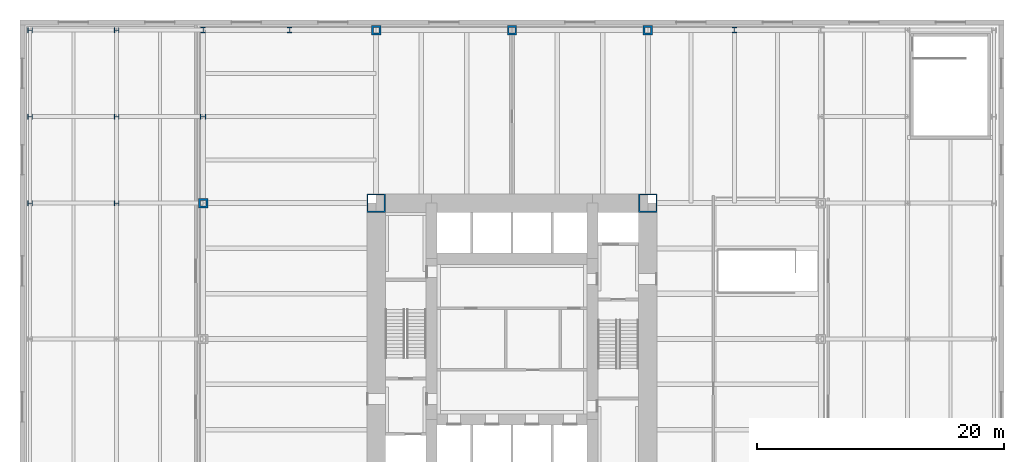
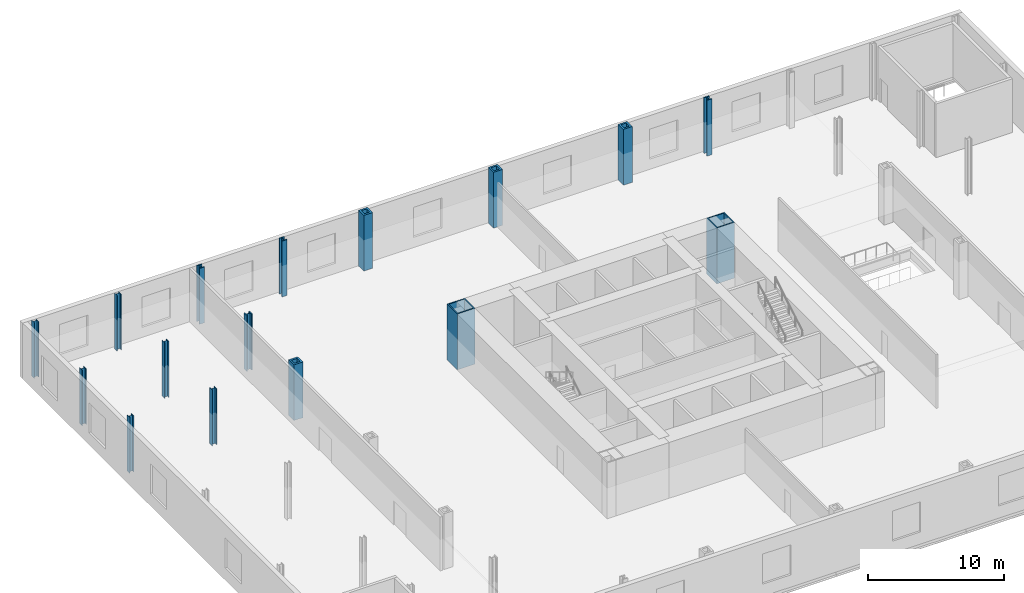
# One storey, part 3 of 12: 16 columns.
"""IFC4 building model written with IfcOpenShell, lengths in metres."""

from ifc_helpers import new_model, si_unit, direction, frame, origin, origin_2d, place, context, subcontext, project, spatial, hollow_rectangle, i_section, extrude, material, material_profile, profile_set, type_object, element, save


model = new_model("IFC4")

# Units and contexts
model_context = context("Model", 3, precision=1e-05, world=origin(), true_north=direction((0.0, 1.0)))
body_context = subcontext(model_context, "Body", "Model", "MODEL_VIEW")
ifc_project = project(units=[si_unit("LENGTHUNIT", "METRE"), si_unit("AREAUNIT", "SQUARE_METRE"), si_unit("VOLUMEUNIT", "CUBIC_METRE"), si_unit("PLANEANGLEUNIT", "RADIAN"), si_unit("MASSUNIT", "GRAM", prefix="KILO")], contexts=[model_context])

# Site, building, storey
site_placement = place(None, origin())
site = spatial("IfcSite", under=ifc_project, at=site_placement, CompositionType="ELEMENT")
building_placement = place(site_placement, origin())
building = spatial("IfcBuilding", under=site, at=building_placement, Name="Trevanion Tower", CompositionType="ELEMENT")
storey_placement = place(building_placement, frame((0.0, 0.0, 11.0)))
storey = spatial("IfcBuildingStorey", under=building, at=storey_placement, Name="L02", CompositionType="ELEMENT", Elevation=11.0)

# Columns
ifc_material_1 = material(Name="Steel ASTM A588 Grade 50", Category="steel")
ifc_material_profile_1 = material_profile(ifc_material_1, hollow_rectangle(XDim=0.761962890625, YDim=0.761962890625, WallThickness=0.15234375, at=origin_2d()), Name="BOX30X30X6")
ifc_profile_set_1 = profile_set([ifc_material_profile_1], Name="Steel ASTM A588 Grade 50")
column_type_1 = type_object("IfcColumnType", Name="C1 BOX30X30X6", PredefinedType="COLUMN", material=ifc_profile_set_1)
for number, where, z_axis, x_axis, name in (
    (1, (11.0, 25.0, 0.0), (0.0, 0.0, 1.0), (1.0, 0.0, 0.0), "C1 12/Q L02"),
    (2, (0.0, 25.0, 0.0), (0.0, 0.0, 1.0), (1.0, 0.0, 0.0), "C1 10/Q L02"),
    (3, (-11.0, 25.0, 0.0), (0.0, 0.0, 1.0), (1.0, 0.0, 0.0), "C1 8/Q L02"),
    (4, (-25.0, 11.0, 0.0), (0.0, 0.0, 1.0), (0.0, 1.0, 0.0), "C1 3/K L02"),
):
    element("IfcColumn", number, at=place(storey_placement, frame(where, z_axis=z_axis, x_axis=x_axis)), inside=storey, type_object=column_type_1, Name=name, PredefinedType="COLUMN", context=body_context, shape_type="SweptSolid", body=[
        extrude(hollow_rectangle(XDim=0.761962890625, YDim=0.761962890625, WallThickness=0.15234375, at=origin_2d()), origin(), (0.0, 0.0, 1.0), 5.0),
    ])
ifc_material_2 = material(Name="Steel ASTM A913 Grade 65", Category="steel")
ifc_material_profile_2 = material_profile(ifc_material_2, i_section(OverallWidth=0.4267578125, OverallDepth=0.482666015625, WebThickness=0.05126953125, FlangeThickness=0.08154296875, at=origin_2d()), Name="W14X455")
ifc_profile_set_2 = profile_set([ifc_material_profile_2], Name="Steel ASTM A913 Grade 65")
column_type_2 = type_object("IfcColumnType", Name="C2 W14X455", PredefinedType="COLUMN", material=ifc_profile_set_2)
for number, where, z_axis, x_axis, name in (
    (5, (18.0, 25.0, 0.0), (0.0, 0.0, 1.0), (1.0, 0.0, 0.0), "C2 14/Q L02"),
    (6, (-18.0, 25.0, 0.0), (0.0, 0.0, 1.0), (1.0, 0.0, 0.0), "C2 6/Q L02"),
    (7, (-25.0, 25.0, 0.0), (0.0, 0.0, 1.0), (1.0, 0.0, 0.0), "C2 3/Q L02"),
    (8, (-25.0, 18.0, 0.0), (0.0, 0.0, 1.0), (0.0, 1.0, 0.0), "C2 3/M L02"),
):
    element("IfcColumn", number, at=place(storey_placement, frame(where, z_axis=z_axis, x_axis=x_axis)), inside=storey, type_object=column_type_2, Name=name, PredefinedType="COLUMN", context=body_context, shape_type="SweptSolid", body=[
        extrude(i_section(OverallWidth=0.4267578125, OverallDepth=0.482666015625, WebThickness=0.05126953125, FlangeThickness=0.08154296875, at=origin_2d()), origin(), (0.0, 0.0, 1.0), 5.0),
    ])
ifc_material_3 = material(Name="Steel ASTM A913 Grade 65", Category="steel")
ifc_material_profile_3 = material_profile(ifc_material_3, i_section(OverallWidth=0.393798828125, OverallDepth=0.3759765625, WebThickness=0.017333984375, FlangeThickness=0.027587890625, at=origin_2d()), Name="W14X145")
ifc_profile_set_3 = profile_set([ifc_material_profile_3], Name="Steel ASTM A913 Grade 65")
column_type_3 = type_object("IfcColumnType", Name="C3 W14X145", PredefinedType="COLUMN", material=ifc_profile_set_3)
for number, where, z_axis, x_axis, name in (
    (9, (-39.0, 11.0, 0.0), (0.0, 0.0, 1.0), (0.0, 1.0, 0.0), "C3 1/K L02"),
    (10, (-39.0, 18.0, 0.0), (0.0, 0.0, 1.0), (0.0, 1.0, 0.0), "C3 1/M L02"),
    (11, (-39.0, 25.0, 0.0), (0.0, 0.0, 1.0), (0.0, 1.0, 0.0), "C3 1/Q L02"),
    (12, (-32.0, 11.0, 0.0), (0.0, 0.0, 1.0), (0.0, 1.0, 0.0), "C3 2/K L02"),
    (13, (-32.0, 18.0, 0.0), (0.0, 0.0, 1.0), (0.0, 1.0, 0.0), "C3 2/M L02"),
    (14, (-32.0, 25.0, 0.0), (0.0, 0.0, 1.0), (0.0, 1.0, 0.0), "C3 2/Q L02"),
):
    element("IfcColumn", number, at=place(storey_placement, frame(where, z_axis=z_axis, x_axis=x_axis)), inside=storey, type_object=column_type_3, Name=name, PredefinedType="COLUMN", context=body_context, shape_type="SweptSolid", body=[
        extrude(i_section(OverallWidth=0.393798828125, OverallDepth=0.3759765625, WebThickness=0.017333984375, FlangeThickness=0.027587890625, at=origin_2d()), origin(), (0.0, 0.0, 1.0), 5.0),
    ])
ifc_material_4 = material(Name="Steel ASTM A572 Grade 50", Category="steel")
ifc_material_profile_4 = material_profile(ifc_material_4, hollow_rectangle(XDim=1.49853515625, YDim=1.49853515625, WallThickness=0.1015625, at=origin_2d()), Name="BOX59X59X4")
ifc_profile_set_4 = profile_set([ifc_material_profile_4], Name="Steel ASTM A572 Grade 50")
column_type_4 = type_object("IfcColumnType", Name="CB1 BOX59X59X4", PredefinedType="COLUMN", material=ifc_profile_set_4)
for number, where, z_axis, x_axis, name in (
    (15, (11.0, 11.0, 0.0), (0.0, 0.0, 1.0), (1.0, 0.0, 0.0), "CB1 NE L02"),
    (16, (-11.0, 11.0, 0.0), (0.0, 0.0, 1.0), (1.0, 0.0, 0.0), "CB1 NW L02"),
):
    element("IfcColumn", number, at=place(storey_placement, frame(where, z_axis=z_axis, x_axis=x_axis)), inside=storey, type_object=column_type_4, Name=name, PredefinedType="COLUMN", context=body_context, shape_type="SweptSolid", body=[
        extrude(hollow_rectangle(XDim=1.49853515625, YDim=1.49853515625, WallThickness=0.1015625, at=origin_2d()), origin(), (0.0, 0.0, 1.0), 5.0),
    ])

save(model, "model.ifc")
